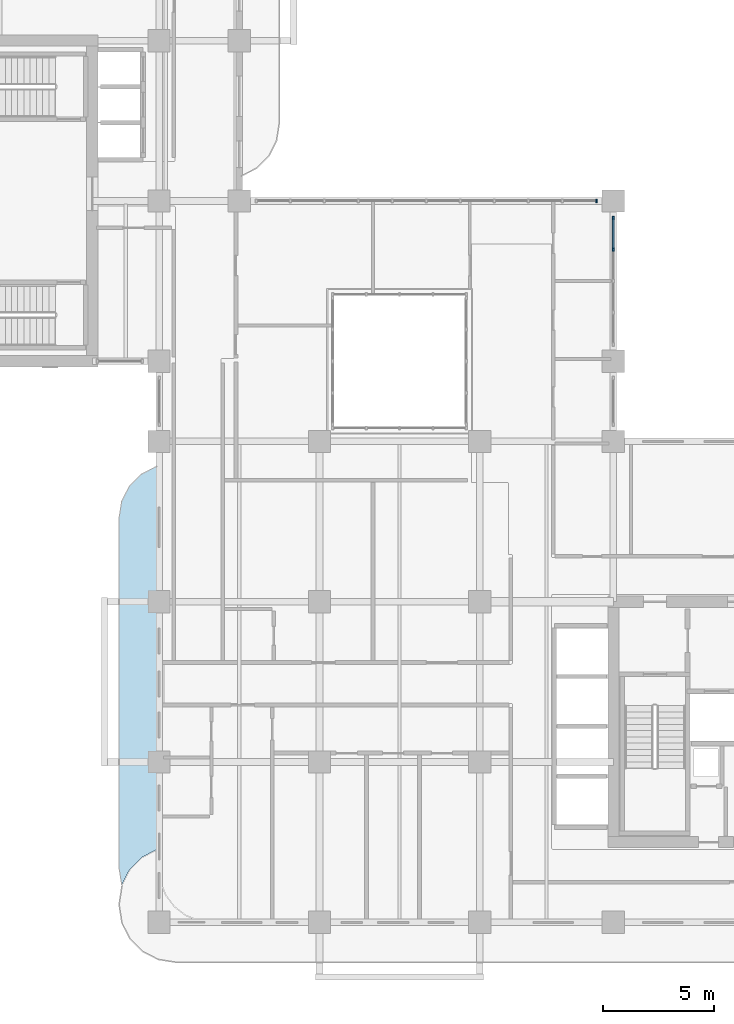
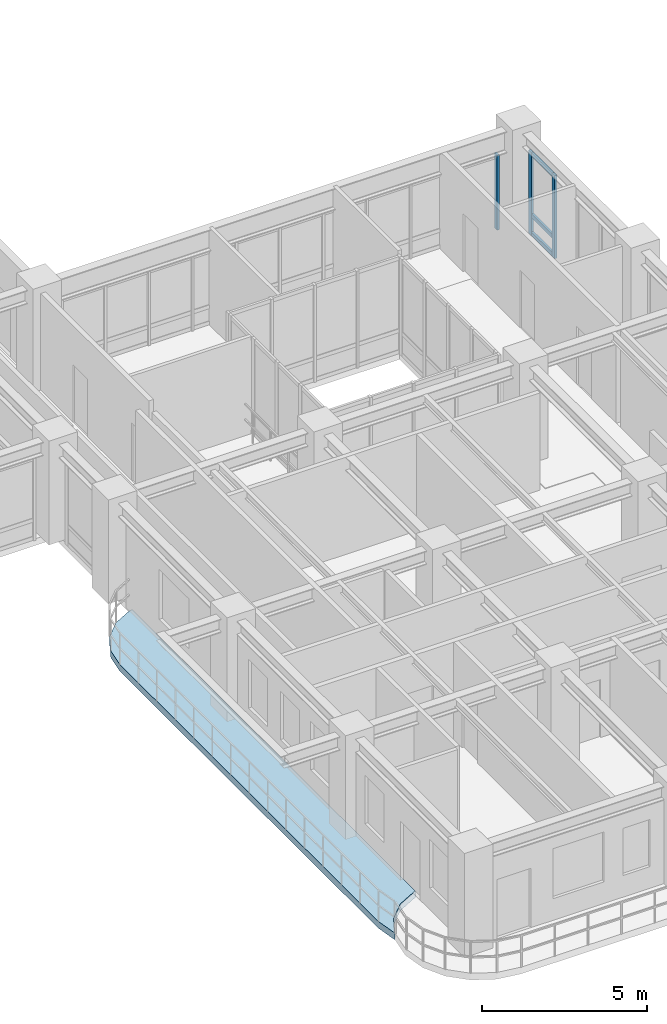
# One storey, part 7 of 20: 6 members, 1 slab, 2 elements without a shape of their own.
"""IFC4 building model written with IfcOpenShell, lengths in metres."""

import ifcopenshell
import ifcopenshell.guid

model = None  # the IFC model being written
_history = None  # IfcOwnerHistory: only IFC2X3 demands one
_inside = {}  # id of a spatial element -> (the spatial element, [elements in it])
_under = {}  # id of a project, library or spatial element -> (it, [spatial elements below it])
_declared = {}  # id of a project -> (the project, [libraries it declares])
_typed = {}  # id of a type object -> (the type object, [elements of that type])
_made_of = {}  # id of a material, layer set ... -> (it, [elements and type objects made of it])


def new_model(schema):
    """Start an empty IFC model of exactly this schema.

    Asked for "IFC4X3", IfcOpenShell would pick the latest addendum, in which some entities
    have other attributes; the version numbers below select the first issue.
    IFC2X3 requires an IfcOwnerHistory on every rooted entity: one is made here for all.
    """
    global model, _history
    if schema == "IFC4X3":
        model = ifcopenshell.file(schema_version=(4, 3, 0, 0))
    else:
        model = ifcopenshell.file(schema=schema)
    _inside.clear()
    _under.clear()
    _declared.clear()
    _typed.clear()
    _made_of.clear()
    _history = None
    if model.schema == "IFC2X3":
        org = make("IfcOrganization", Name="unknown")
        user = make(
            "IfcPersonAndOrganization",
            ThePerson=make("IfcPerson", FamilyName="unknown"),
            TheOrganization=org,
        )
        app = make(
            "IfcApplication",
            ApplicationDeveloper=org,
            Version="unknown",
            ApplicationFullName="unknown",
            ApplicationIdentifier="unknown",
        )
        _history = make(
            "IfcOwnerHistory",
            OwningUser=user,
            OwningApplication=app,
            ChangeAction="ADDED",
            CreationDate=0,
        )
    return model


def make(cls, **values):
    """One entity of the class cls with the attributes given. An attribute that is None is left unset."""
    return model.create_entity(
        cls, **{name: value for name, value in values.items() if value is not None}
    )


def rooted(cls, **values):
    """An entity with a GlobalId (a new one), such as an element, a storey or a relation."""
    return make(cls, GlobalId=ifcopenshell.guid.new(), OwnerHistory=_history, **values)


def si_unit(unit_type, name, prefix=None):
    """IfcSIUnit, for example si_unit("LENGTHUNIT", "METRE", prefix="MILLI")."""
    return make("IfcSIUnit", UnitType=unit_type, Prefix=prefix, Name=name)


def derived_unit(unit_type, elements):
    """IfcDerivedUnit: a product of units, each with its exponent."""
    return make(
        "IfcDerivedUnit",
        Elements=[
            make("IfcDerivedUnitElement", Unit=unit, Exponent=power)
            for unit, power in elements
        ],
        UnitType=unit_type,
    )


def assignment(units):
    """IfcUnitAssignment: the units of a project."""
    return None if units is None else make("IfcUnitAssignment", Units=units)


def point(xyz):
    """IfcCartesianPoint."""
    return None if xyz is None else make("IfcCartesianPoint", Coordinates=xyz)


def direction(xyz):
    """IfcDirection."""
    return None if xyz is None else make("IfcDirection", DirectionRatios=xyz)


def frame(location, z_axis=None, x_axis=None):
    """IfcAxis2Placement3D, a coordinate frame: its origin and axes. An axis left out is left unset."""
    return make(
        "IfcAxis2Placement3D",
        Location=point(location),
        Axis=direction(z_axis),
        RefDirection=direction(x_axis),
    )


def frame_2d(location, x_axis=None):
    """IfcAxis2Placement2D, a coordinate frame in the plane: its origin and x axis."""
    return make(
        "IfcAxis2Placement2D", Location=point(location), RefDirection=direction(x_axis)
    )


def origin():
    """The frame at (0, 0, 0) with its axes left unset."""
    return frame((0.0, 0.0, 0.0))


def origin_2d():
    """The frame at (0, 0) in the plane with its x axis left unset."""
    return frame_2d((0.0, 0.0))


def place(relative_to, where):
    """IfcLocalPlacement: puts the frame where relative to a parent placement (None: the world)."""
    return make(
        "IfcLocalPlacement", PlacementRelTo=relative_to, RelativePlacement=where
    )


def context(
    kind, dimensions, precision=None, world=None, true_north=None, identifier=None
):
    """IfcGeometricRepresentationContext, for example the 3D "Model" context."""
    return make(
        "IfcGeometricRepresentationContext",
        ContextIdentifier=identifier,
        ContextType=kind,
        CoordinateSpaceDimension=dimensions,
        Precision=precision,
        WorldCoordinateSystem=world,
        TrueNorth=true_north,
    )


def subcontext(parent, identifier, kind, view, scale=None):
    """IfcGeometricRepresentationSubContext, for example "Body" below "Model"."""
    return make(
        "IfcGeometricRepresentationSubContext",
        ContextIdentifier=identifier,
        ContextType=kind,
        ParentContext=parent,
        TargetScale=scale,
        TargetView=view,
    )


def project(units=None, contexts=None):
    """IfcProject with its units and contexts."""
    return rooted(
        "IfcProject",
        Name="project",
        RepresentationContexts=contexts,
        UnitsInContext=assignment(units),
    )


def spatial(cls, under=None, at=None, **own):
    """A site, building, storey or space (cls), placed at a placement, below another one or the project."""
    s = rooted(cls, ObjectPlacement=at, **own)
    if under is not None:
        _under.setdefault(under.id(), (under, []))[1].append(s)
    return s


def polyline(points):
    """IfcPolyline through the points."""
    return make("IfcPolyline", Points=[point(p) for p in points])


def profile(cls, at=None, kind="AREA", **sizes):
    """A parametric profile (cls). Its sizes go by their IFC names, for example OverallWidth=200.0."""
    return make(cls, ProfileType=kind, Position=at, **sizes)


def rectangle(**sizes):
    """IfcRectangleProfileDef."""
    return profile("IfcRectangleProfileDef", **sizes)


def outline(outer, holes=None, kind="AREA"):
    """IfcArbitraryClosedProfileDef: a profile drawn as a closed curve; with holes, ...WithVoids."""
    if holes is None:
        return make("IfcArbitraryClosedProfileDef", ProfileType=kind, OuterCurve=outer)
    return make(
        "IfcArbitraryProfileDefWithVoids",
        ProfileType=kind,
        OuterCurve=outer,
        InnerCurves=holes,
    )


def extrude(swept, where, along, depth):
    """IfcExtrudedAreaSolid: the profile swept, set in the frame where, extruded along a direction by depth."""
    return make(
        "IfcExtrudedAreaSolid",
        SweptArea=swept,
        Position=where,
        ExtrudedDirection=direction(along),
        Depth=depth,
    )


def shape(context_of_items, identifier, shape_type, items):
    """IfcShapeRepresentation: the items that make up one representation, for example the "Body"."""
    return make(
        "IfcShapeRepresentation",
        ContextOfItems=context_of_items,
        RepresentationIdentifier=identifier,
        RepresentationType=shape_type,
        Items=items,
    )


def source(mapping_origin, context_of_items, identifier, shape_type, items):
    """IfcRepresentationMap: a shape defined once, which mapped items show again and again."""
    return make(
        "IfcRepresentationMap",
        MappingOrigin=mapping_origin,
        MappedRepresentation=shape(context_of_items, identifier, shape_type, items),
    )


def transform(
    local_origin,
    x_axis=None,
    y_axis=None,
    z_axis=None,
    scale=None,
    scale2=None,
    scale3=None,
    uniform=True,
):
    """IfcCartesianTransformationOperator3D, or its non-uniform kind. x_axis, y_axis, z_axis: its Axis1, 2, 3."""
    if uniform:
        return make(
            "IfcCartesianTransformationOperator3D",
            Axis1=direction(x_axis),
            Axis2=direction(y_axis),
            LocalOrigin=point(local_origin),
            Scale=scale,
            Axis3=direction(z_axis),
        )
    return make(
        "IfcCartesianTransformationOperator3DnonUniform",
        Axis1=direction(x_axis),
        Axis2=direction(y_axis),
        LocalOrigin=point(local_origin),
        Scale=scale,
        Axis3=direction(z_axis),
        Scale2=scale2,
        Scale3=scale3,
    )


def mapped(mapping_source, mapping_target):
    """IfcMappedItem: shows the shape of a source again, moved by a transform."""
    return make(
        "IfcMappedItem", MappingSource=mapping_source, MappingTarget=mapping_target
    )


def material(Name=None, Category=None):
    """IfcMaterial."""
    return make("IfcMaterial", Name=Name, Category=Category)


def layer(
    of_material, thickness, ventilated=None, Name=None, Category=None, Priority=None
):
    """IfcMaterialLayer: one layer of a wall or slab, of a material (None: an air gap)."""
    return make(
        "IfcMaterialLayer",
        Material=of_material,
        LayerThickness=thickness,
        IsVentilated=ventilated,
        Name=Name,
        Category=Category,
        Priority=Priority,
    )


def layer_set(layers, Name=None):
    """IfcMaterialLayerSet."""
    return make("IfcMaterialLayerSet", MaterialLayers=layers, LayerSetName=Name)


def material_profile(
    of_material, cross_section, Name=None, Category=None, Priority=None
):
    """IfcMaterialProfile: a cross section and its material."""
    return make(
        "IfcMaterialProfile",
        Name=Name,
        Material=of_material,
        Profile=cross_section,
        Priority=Priority,
        Category=Category,
    )


def profile_set(profiles, Name=None, composite=None):
    """IfcMaterialProfileSet."""
    return make(
        "IfcMaterialProfileSet",
        Name=Name,
        MaterialProfiles=profiles,
        CompositeProfile=composite,
    )


def made_of(thing, what):
    """Note that an element or type object is made of a material, layer set ...; save() writes the relation."""
    if what is not None:
        _made_of.setdefault(what.id(), (what, []))[1].append(thing)
    return thing


def type_object(cls, material=None, **own):
    """A type object (cls), such as IfcWallType, which elements share."""
    return made_of(rooted(cls, **own), material)


def element(
    cls,
    number,
    at=None,
    inside=None,
    cuts=None,
    type_object=None,
    material=None,
    context=None,
    identifier="Body",
    shape_type=None,
    held_by="IfcProductDefinitionShape",
    body=None,
    shapes=None,
    **own,
):
    """One element of the class cls, such as IfcWall. Its Tag is "e" and its number.

    at: its placement. inside: the storey or other place that contains it. cuts: it is an
    opening in that element (IfcRelVoidsElement). A single representation is given by context,
    identifier, shape_type and body (its items); several are given by shapes. held_by: the class
    of the entity that holds the representations. save() writes the other relations.
    """
    e = rooted(cls, Tag="e%d" % number, ObjectPlacement=at, **own)
    if body is not None:
        shapes = [shape(context, identifier, shape_type, body)]
    if shapes is not None:
        e.Representation = make(held_by, Representations=shapes)
    if inside is not None:
        _inside.setdefault(inside.id(), (inside, []))[1].append(e)
    if cuts is not None:
        rooted(
            "IfcRelVoidsElement", RelatingBuildingElement=cuts, RelatedOpeningElement=e
        )
    if type_object is not None:
        _typed.setdefault(type_object.id(), (type_object, []))[1].append(e)
    return made_of(e, material)


def aggregate(whole, parts):
    """IfcRelAggregates: a whole, such as a stair, and the parts it consists of."""
    return rooted("IfcRelAggregates", RelatingObject=whole, RelatedObjects=parts)


def save(model, path):
    """Write the relations noted so far, then the file.

    IfcRelAggregates (storeys below a building ...), IfcRelContainedInSpatialStructure (elements
    in a storey), IfcRelDefinesByType, IfcRelAssociatesMaterial and IfcRelDeclares: one each for
    every whole, place, type object, material and project.
    """
    for whole, parts in _under.values():
        aggregate(whole, parts)
    for where, things in _inside.values():
        rooted(
            "IfcRelContainedInSpatialStructure",
            RelatedElements=things,
            RelatingStructure=where,
        )
    for kind, things in _typed.values():
        rooted("IfcRelDefinesByType", RelatedObjects=things, RelatingType=kind)
    for what, things in _made_of.values():
        rooted("IfcRelAssociatesMaterial", RelatedObjects=things, RelatingMaterial=what)
    for by, libraries in _declared.values():
        rooted("IfcRelDeclares", RelatingContext=by, RelatedDefinitions=libraries)
    model.write(path)


model = new_model("IFC4")

# Units and contexts
model_context = context("Model", 3, precision=1e-05, world=origin(), true_north=direction((0.0, 1.0)))
body_context = subcontext(model_context, "Body", "Model", "MODEL_VIEW")
ifc_project = project(units=[si_unit("LENGTHUNIT", "METRE"), si_unit("AREAUNIT", "SQUARE_METRE"), si_unit("VOLUMEUNIT", "CUBIC_METRE"), si_unit("PLANEANGLEUNIT", "RADIAN"), si_unit("MASSUNIT", "GRAM", prefix="KILO"), si_unit("THERMODYNAMICTEMPERATUREUNIT", "KELVIN"), si_unit("POWERUNIT", "WATT"), derived_unit("THERMALTRANSMITTANCEUNIT", [(si_unit("POWERUNIT", "WATT"), 1), (si_unit("AREAUNIT", "SQUARE_METRE"), -1), (si_unit("THERMODYNAMICTEMPERATUREUNIT", "KELVIN"), -1)])], contexts=[model_context])

# Site, building, storey
site_placement = place(None, origin())
site = spatial("IfcSite", under=ifc_project, at=site_placement, CompositionType="ELEMENT")
building_placement = place(site_placement, origin())
building = spatial("IfcBuilding", under=site, at=building_placement, Name="Zahravan Archway Hotel and Residences", CompositionType="ELEMENT")
storey_placement = place(building_placement, frame((0.0, 0.0, 173.39990234375)))
storey = spatial("IfcBuildingStorey", under=building, at=storey_placement, Name="L43", CompositionType="ELEMENT", Elevation=173.39990234375)

# Curtain wall, members
ifc_material_1 = material(Name="Bronze-Anodized Unitised Aluminium & Low-E Glass", Category="aluminium")
ifc_layer_1 = layer(ifc_material_1, 0.179931640625, Name="Bronze-Anodized Unitised Aluminium & Low-E Glass", Category="aluminium")
ifc_layer_set_1 = layer_set([ifc_layer_1], Name="Bronze-Anodized Unitised Aluminium & Low-E Glass")
curtain_wall_type = type_object("IfcCurtainWallType", Name="CW-ATR-GLAZ", PredefinedType="NOTDEFINED", material=ifc_layer_set_1)
curtain_wall_1_placement = place(storey_placement, origin())
curtain_wall_1 = element("IfcCurtainWall", 1, at=curtain_wall_1_placement, inside=storey, type_object=curtain_wall_type, Name="L43 Curtain Wall CW-L43-HNG-E-2", PredefinedType="NOTDEFINED")
ifc_material_2 = material(Name="Bronze-Anodized Extruded Aluminium", Category="aluminium")
ifc_material_profile_1 = material_profile(ifc_material_2, rectangle(XDim=0.080078125, YDim=0.139892578125, at=origin_2d()), Name="TRN 80x140", Category="aluminium")
ifc_profile_set_1 = profile_set([ifc_material_profile_1], Name="Bronze-Anodized Extruded Aluminium")
member_type_1 = type_object("IfcMemberType", Name="CWM-TRN-140", PredefinedType="USERDEFINED", material=ifc_profile_set_1)
shared_shape_1 = source(origin(), body_context, "Body", "SweptSolid", [
    extrude(rectangle(XDim=0.080078125, YDim=0.139892578125, at=origin_2d()), origin(), (0.0, 0.0, 1.0), 1.340087890625),
])
member_1_placement = place(storey_placement, frame((34.800048828125, 30.260009765625, 0.070068359375), z_axis=(0.0, 1.0, 0.0), x_axis=(-1.0, 0.0, 0.0)))
member_1 = element("IfcMember", 2, at=member_1_placement, type_object=member_type_1, Name="CW-L43-HNG-E-2 Transom 3-1", ObjectType="TRANSOM", PredefinedType="USERDEFINED", context=body_context, shape_type="MappedRepresentation", body=[
    mapped(shared_shape_1, transform((0.0, 0.0, 0.0), scale=1.0)),
])
member_2_placement = place(storey_placement, frame((34.800048828125, 30.260009765625, 0.740478515625), z_axis=(0.0, 1.0, 0.0), x_axis=(-1.0, 0.0, 0.0)))
member_2 = element("IfcMember", 3, at=member_2_placement, type_object=member_type_1, Name="CW-L43-HNG-E-2 Transom 3-2", ObjectType="TRANSOM", PredefinedType="USERDEFINED", context=body_context, shape_type="MappedRepresentation", body=[
    mapped(shared_shape_1, transform((0.0, 0.0, 0.0), scale=1.0)),
])
member_3_placement = place(storey_placement, frame((34.800048828125, 30.260009765625, 3.01513671875), z_axis=(0.0, 1.0, 0.0), x_axis=(-1.0, 0.0, 0.0)))
member_3 = element("IfcMember", 4, at=member_3_placement, type_object=member_type_1, Name="CW-L43-HNG-E-2 Transom 3-3", ObjectType="TRANSOM", PredefinedType="USERDEFINED", context=body_context, shape_type="MappedRepresentation", body=[
    mapped(shared_shape_1, transform((0.0, 0.0, 0.0), scale=1.0)),
])
ifc_material_profile_2 = material_profile(ifc_material_2, rectangle(XDim=0.080078125, YDim=0.159912109375, at=origin_2d()), Name="MUL 80x160", Category="aluminium")
ifc_profile_set_2 = profile_set([ifc_material_profile_2], Name="Bronze-Anodized Extruded Aluminium")
member_type_2 = type_object("IfcMemberType", Name="CWM-MUL-160", PredefinedType="MULLION", material=ifc_profile_set_2)
shared_shape_2 = source(origin(), body_context, "Body", "SweptSolid", [
    extrude(rectangle(XDim=0.080078125, YDim=0.159912109375, at=origin_2d()), origin(), (0.0, 0.0, 1.0), 3.085205078125),
])
member_4_placement = place(storey_placement, frame((34.800048828125, 30.219970703125, 0.0), z_axis=(0.0, 0.0, 1.0), x_axis=(1.0, 0.0, 0.0)))
member_4 = element("IfcMember", 5, at=member_4_placement, type_object=member_type_2, Name="CW-L43-HNG-E-2 Mullion 3", PredefinedType="MULLION", context=body_context, shape_type="MappedRepresentation", body=[
    mapped(shared_shape_2, transform((0.0, 0.0, 0.0), scale=1.0)),
])
member_5_placement = place(storey_placement, frame((34.800048828125, 31.639892578125, 0.0), z_axis=(0.0, 0.0, 1.0), x_axis=(1.0, 0.0, 0.0)))
member_5 = element("IfcMember", 6, at=member_5_placement, type_object=member_type_2, Name="CW-L43-HNG-E-2 Mullion 4", PredefinedType="MULLION", context=body_context, shape_type="MappedRepresentation", body=[
    mapped(shared_shape_2, transform((0.0, 0.0, 0.0), scale=1.0)),
])
aggregate(curtain_wall_1, [member_4, member_5, member_1, member_2, member_3])

# Curtain wall, member
curtain_wall_2_placement = place(storey_placement, origin())
curtain_wall_2 = element("IfcCurtainWall", 7, at=curtain_wall_2_placement, inside=storey, type_object=curtain_wall_type, Name="L43 Curtain Wall CW-L43-HNG-N-1", PredefinedType="NOTDEFINED")
shared_shape_3 = source(origin(), body_context, "Body", "SweptSolid", [
    extrude(rectangle(XDim=0.080078125, YDim=0.159912109375, at=origin_2d()), origin(), (0.0, 0.0, 1.0), 2.78515625),
])
member_6_placement = place(storey_placement, frame((34.0400390625, 32.39990234375, 0.0), z_axis=(0.0, 0.0, 1.0), x_axis=(1.0, 0.0, 0.0)))
member_6 = element("IfcMember", 8, at=member_6_placement, type_object=member_type_2, Name="CW-L43-HNG-N-1 Mullion 10", PredefinedType="MULLION", context=body_context, shape_type="MappedRepresentation", body=[
    mapped(shared_shape_3, transform((0.0, 0.0, 0.0), scale=1.0)),
])
aggregate(curtain_wall_2, [member_6])

# Slab
ifc_material_3 = material(Name="Concrete C45/55", Category="concrete")
ifc_layer_2 = layer(ifc_material_3, 0.25, Name="Concrete C45/55", Category="concrete")
ifc_layer_set_2 = layer_set([ifc_layer_2], Name="Concrete C45/55")
slab_type = type_object("IfcSlabType", Name="SLB-BALC-250", PredefinedType="FLOOR", material=ifc_layer_set_2)
slab_placement = place(storey_placement, frame((0.0, 0.0, -0.25)))
element("IfcSlab", 9, at=slab_placement, inside=storey, type_object=slab_type, Name="L43 Wing A West Rounded Balcony Band", PredefinedType="FLOOR", context=body_context, shape_type="SweptSolid", body=[
    extrude(outline(polyline([(12.719970703125, 1.69287109375), (12.60009765625, 2.449951171875), (12.60009765625, 18.14990234375), (12.719970703125, 18.906982421875), (13.06787109375, 19.590087890625), (13.60986328125, 20.132080078125), (14.29296875, 20.47998046875), (14.3798828125, 20.493896484375), (14.3798828125, 3.298095703125), (14.37890625, 3.298095703125), (14.376953125, 3.2978515625), (14.35888671875, 3.294921875), (14.356689453125, 3.29443359375), (14.354736328125, 3.2939453125), (14.352783203125, 3.29296875), (13.64208984375, 2.930908203125), (13.64013671875, 2.9296875), (13.638427734375, 2.928466796875), (13.636962890625, 2.927001953125), (13.072998046875, 2.363037109375), (13.071533203125, 2.361572265625), (13.0703125, 2.35986328125), (13.069091796875, 2.35791015625), (12.72509765625, 1.6826171875), (12.719970703125, 1.69287109375)])), origin(), (0.0, 0.0, 1.0), 0.25),
])

save(model, "model.ifc")
